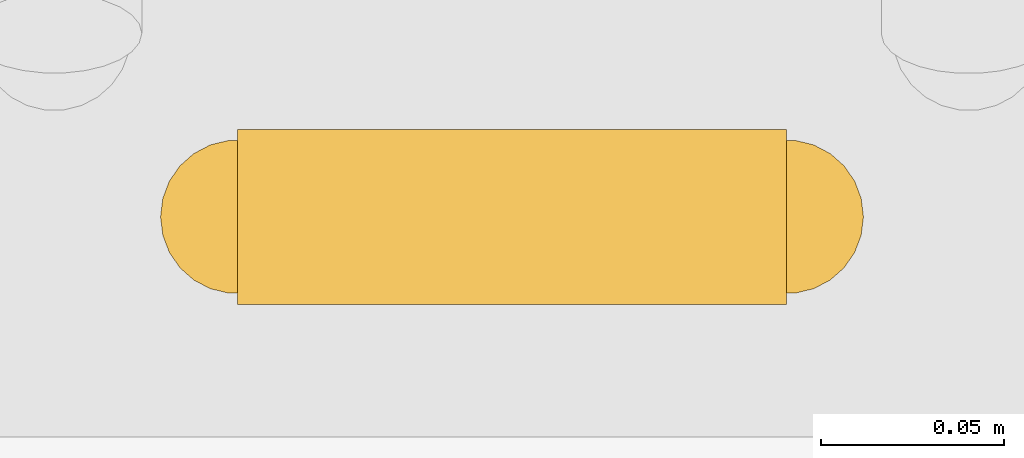
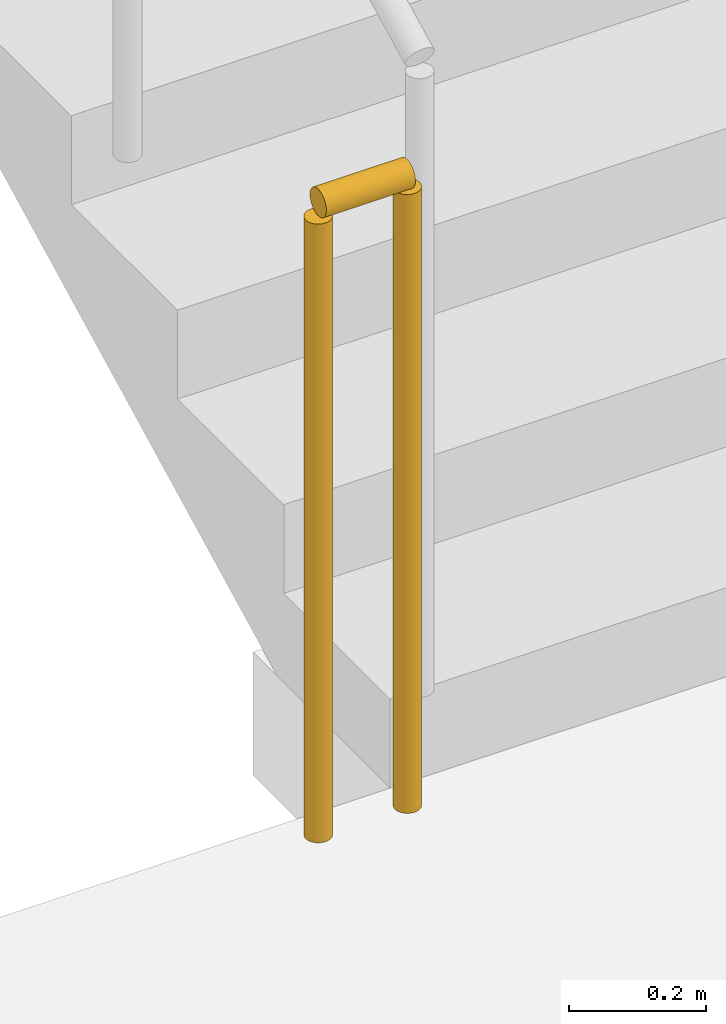
# One storey, part 15 of 18: 1 railing.
"""IFC4 building model written with IfcOpenShell, lengths in metres."""

import ifcopenshell
import ifcopenshell.guid

model = None  # the IFC model being written
_history = None  # IfcOwnerHistory: only IFC2X3 demands one
_inside = {}  # id of a spatial element -> (the spatial element, [elements in it])
_under = {}  # id of a project, library or spatial element -> (it, [spatial elements below it])
_declared = {}  # id of a project -> (the project, [libraries it declares])
_typed = {}  # id of a type object -> (the type object, [elements of that type])
_made_of = {}  # id of a material, layer set ... -> (it, [elements and type objects made of it])


def new_model(schema):
    """Start an empty IFC model of exactly this schema.

    Asked for "IFC4X3", IfcOpenShell would pick the latest addendum, in which some entities
    have other attributes; the version numbers below select the first issue.
    IFC2X3 requires an IfcOwnerHistory on every rooted entity: one is made here for all.
    """
    global model, _history
    if schema == "IFC4X3":
        model = ifcopenshell.file(schema_version=(4, 3, 0, 0))
    else:
        model = ifcopenshell.file(schema=schema)
    _inside.clear()
    _under.clear()
    _declared.clear()
    _typed.clear()
    _made_of.clear()
    _history = None
    if model.schema == "IFC2X3":
        org = make("IfcOrganization", Name="unknown")
        user = make(
            "IfcPersonAndOrganization",
            ThePerson=make("IfcPerson", FamilyName="unknown"),
            TheOrganization=org,
        )
        app = make(
            "IfcApplication",
            ApplicationDeveloper=org,
            Version="unknown",
            ApplicationFullName="unknown",
            ApplicationIdentifier="unknown",
        )
        _history = make(
            "IfcOwnerHistory",
            OwningUser=user,
            OwningApplication=app,
            ChangeAction="ADDED",
            CreationDate=0,
        )
    return model


def make(cls, **values):
    """One entity of the class cls with the attributes given. An attribute that is None is left unset."""
    return model.create_entity(
        cls, **{name: value for name, value in values.items() if value is not None}
    )


def rooted(cls, **values):
    """An entity with a GlobalId (a new one), such as an element, a storey or a relation."""
    return make(cls, GlobalId=ifcopenshell.guid.new(), OwnerHistory=_history, **values)


def si_unit(unit_type, name, prefix=None):
    """IfcSIUnit, for example si_unit("LENGTHUNIT", "METRE", prefix="MILLI")."""
    return make("IfcSIUnit", UnitType=unit_type, Prefix=prefix, Name=name)


def assignment(units):
    """IfcUnitAssignment: the units of a project."""
    return None if units is None else make("IfcUnitAssignment", Units=units)


def point(xyz):
    """IfcCartesianPoint."""
    return None if xyz is None else make("IfcCartesianPoint", Coordinates=xyz)


def direction(xyz):
    """IfcDirection."""
    return None if xyz is None else make("IfcDirection", DirectionRatios=xyz)


def frame(location, z_axis=None, x_axis=None):
    """IfcAxis2Placement3D, a coordinate frame: its origin and axes. An axis left out is left unset."""
    return make(
        "IfcAxis2Placement3D",
        Location=point(location),
        Axis=direction(z_axis),
        RefDirection=direction(x_axis),
    )


def frame_2d(location, x_axis=None):
    """IfcAxis2Placement2D, a coordinate frame in the plane: its origin and x axis."""
    return make(
        "IfcAxis2Placement2D", Location=point(location), RefDirection=direction(x_axis)
    )


def origin():
    """The frame at (0, 0, 0) with its axes left unset."""
    return frame((0.0, 0.0, 0.0))


def origin_2d():
    """The frame at (0, 0) in the plane with its x axis left unset."""
    return frame_2d((0.0, 0.0))


def place(relative_to, where):
    """IfcLocalPlacement: puts the frame where relative to a parent placement (None: the world)."""
    return make(
        "IfcLocalPlacement", PlacementRelTo=relative_to, RelativePlacement=where
    )


def context(
    kind, dimensions, precision=None, world=None, true_north=None, identifier=None
):
    """IfcGeometricRepresentationContext, for example the 3D "Model" context."""
    return make(
        "IfcGeometricRepresentationContext",
        ContextIdentifier=identifier,
        ContextType=kind,
        CoordinateSpaceDimension=dimensions,
        Precision=precision,
        WorldCoordinateSystem=world,
        TrueNorth=true_north,
    )


def subcontext(parent, identifier, kind, view, scale=None):
    """IfcGeometricRepresentationSubContext, for example "Body" below "Model"."""
    return make(
        "IfcGeometricRepresentationSubContext",
        ContextIdentifier=identifier,
        ContextType=kind,
        ParentContext=parent,
        TargetScale=scale,
        TargetView=view,
    )


def project(units=None, contexts=None):
    """IfcProject with its units and contexts."""
    return rooted(
        "IfcProject",
        Name="project",
        RepresentationContexts=contexts,
        UnitsInContext=assignment(units),
    )


def spatial(cls, under=None, at=None, **own):
    """A site, building, storey or space (cls), placed at a placement, below another one or the project."""
    s = rooted(cls, ObjectPlacement=at, **own)
    if under is not None:
        _under.setdefault(under.id(), (under, []))[1].append(s)
    return s


def profile(cls, at=None, kind="AREA", **sizes):
    """A parametric profile (cls). Its sizes go by their IFC names, for example OverallWidth=200.0."""
    return make(cls, ProfileType=kind, Position=at, **sizes)


def circle(**sizes):
    """IfcCircleProfileDef."""
    return profile("IfcCircleProfileDef", **sizes)


def extrude(swept, where, along, depth):
    """IfcExtrudedAreaSolid: the profile swept, set in the frame where, extruded along a direction by depth."""
    return make(
        "IfcExtrudedAreaSolid",
        SweptArea=swept,
        Position=where,
        ExtrudedDirection=direction(along),
        Depth=depth,
    )


def shape(context_of_items, identifier, shape_type, items):
    """IfcShapeRepresentation: the items that make up one representation, for example the "Body"."""
    return make(
        "IfcShapeRepresentation",
        ContextOfItems=context_of_items,
        RepresentationIdentifier=identifier,
        RepresentationType=shape_type,
        Items=items,
    )


def material(Name=None, Category=None):
    """IfcMaterial."""
    return make("IfcMaterial", Name=Name, Category=Category)


def made_of(thing, what):
    """Note that an element or type object is made of a material, layer set ...; save() writes the relation."""
    if what is not None:
        _made_of.setdefault(what.id(), (what, []))[1].append(thing)
    return thing


def type_object(cls, material=None, **own):
    """A type object (cls), such as IfcWallType, which elements share."""
    return made_of(rooted(cls, **own), material)


def element(
    cls,
    number,
    at=None,
    inside=None,
    cuts=None,
    type_object=None,
    material=None,
    context=None,
    identifier="Body",
    shape_type=None,
    held_by="IfcProductDefinitionShape",
    body=None,
    shapes=None,
    **own,
):
    """One element of the class cls, such as IfcWall. Its Tag is "e" and its number.

    at: its placement. inside: the storey or other place that contains it. cuts: it is an
    opening in that element (IfcRelVoidsElement). A single representation is given by context,
    identifier, shape_type and body (its items); several are given by shapes. held_by: the class
    of the entity that holds the representations. save() writes the other relations.
    """
    e = rooted(cls, Tag="e%d" % number, ObjectPlacement=at, **own)
    if body is not None:
        shapes = [shape(context, identifier, shape_type, body)]
    if shapes is not None:
        e.Representation = make(held_by, Representations=shapes)
    if inside is not None:
        _inside.setdefault(inside.id(), (inside, []))[1].append(e)
    if cuts is not None:
        rooted(
            "IfcRelVoidsElement", RelatingBuildingElement=cuts, RelatedOpeningElement=e
        )
    if type_object is not None:
        _typed.setdefault(type_object.id(), (type_object, []))[1].append(e)
    return made_of(e, material)


def aggregate(whole, parts):
    """IfcRelAggregates: a whole, such as a stair, and the parts it consists of."""
    return rooted("IfcRelAggregates", RelatingObject=whole, RelatedObjects=parts)


def save(model, path):
    """Write the relations noted so far, then the file.

    IfcRelAggregates (storeys below a building ...), IfcRelContainedInSpatialStructure (elements
    in a storey), IfcRelDefinesByType, IfcRelAssociatesMaterial and IfcRelDeclares: one each for
    every whole, place, type object, material and project.
    """
    for whole, parts in _under.values():
        aggregate(whole, parts)
    for where, things in _inside.values():
        rooted(
            "IfcRelContainedInSpatialStructure",
            RelatedElements=things,
            RelatingStructure=where,
        )
    for kind, things in _typed.values():
        rooted("IfcRelDefinesByType", RelatedObjects=things, RelatingType=kind)
    for what, things in _made_of.values():
        rooted("IfcRelAssociatesMaterial", RelatedObjects=things, RelatingMaterial=what)
    for by, libraries in _declared.values():
        rooted("IfcRelDeclares", RelatingContext=by, RelatedDefinitions=libraries)
    model.write(path)


model = new_model("IFC4")

# Units and contexts
model_context = context("Model", 3, precision=1e-05, world=origin(), true_north=direction((0.0, 1.0)))
body_context = subcontext(model_context, "Body", "Model", "MODEL_VIEW")
ifc_project = project(units=[si_unit("LENGTHUNIT", "METRE"), si_unit("AREAUNIT", "SQUARE_METRE"), si_unit("VOLUMEUNIT", "CUBIC_METRE"), si_unit("PLANEANGLEUNIT", "RADIAN"), si_unit("MASSUNIT", "GRAM", prefix="KILO")], contexts=[model_context])

# Site, building, storey
site_placement = place(None, origin())
site = spatial("IfcSite", under=ifc_project, at=site_placement, CompositionType="ELEMENT")
building_placement = place(site_placement, origin())
building = spatial("IfcBuilding", under=site, at=building_placement, Name="Vaeldorn Concourse Tower", CompositionType="ELEMENT")
storey_placement = place(building_placement, frame((0.0, 0.0, 257.39990234375)))
storey = spatial("IfcBuildingStorey", under=building, at=storey_placement, Name="L66", CompositionType="ELEMENT", Elevation=257.39990234375)

# Railing
ifc_material = material(Name="Anodised Bronze Aluminium", Category="aluminium")
railing_type = type_object("IfcRailingType", Name="RL-STAIR-GUARD", PredefinedType="GUARDRAIL", material=ifc_material)
railing_placement = place(storey_placement, frame((51.35009765625, 41.550048828125, 0.0)))
element("IfcRailing", 1, at=railing_placement, inside=storey, type_object=railing_type, Name="L66 ST-2 stair guard 4", PredefinedType="GUARDRAIL", context=body_context, shape_type="SweptSolid", body=[
    extrude(circle(Radius=0.02392578125, at=origin_2d()), frame((0.0, 0.0, 1.1259765625), z_axis=(-1.0, 0.0, 0.0), x_axis=(0.0, -1.0, 0.0)), (0.0, 0.0, 1.0), 0.150146484375),
    extrude(circle(Radius=0.02099609375, at=origin_2d()), origin(), (0.0, 0.0, 1.0), 1.101806640625),
    extrude(circle(Radius=0.02099609375, at=origin_2d()), frame((-0.150146484375, 0.0, 0.0)), (0.0, 0.0, 1.0), 1.101806640625),
])

save(model, "model.ifc")
